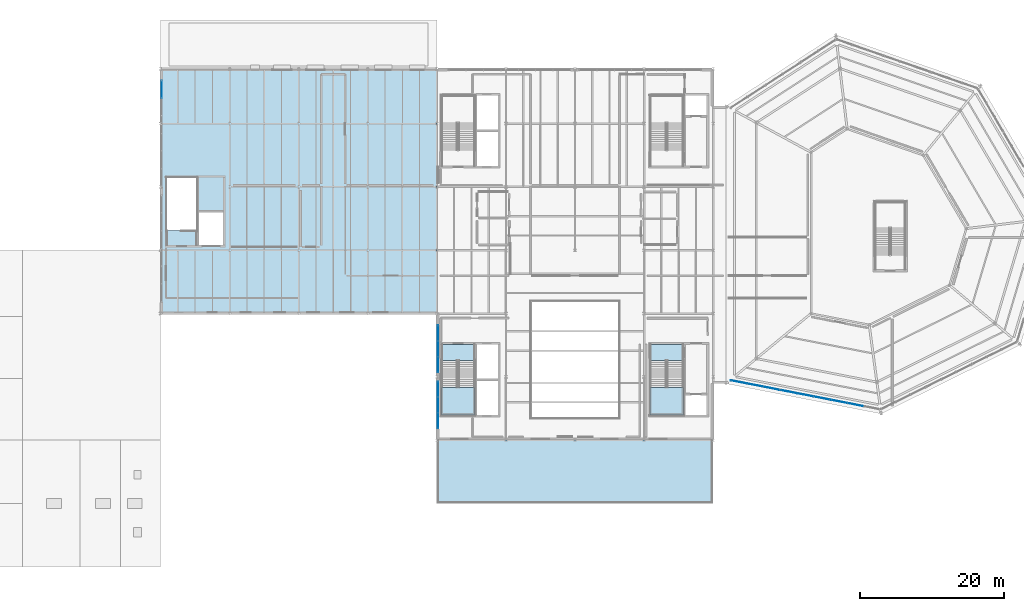
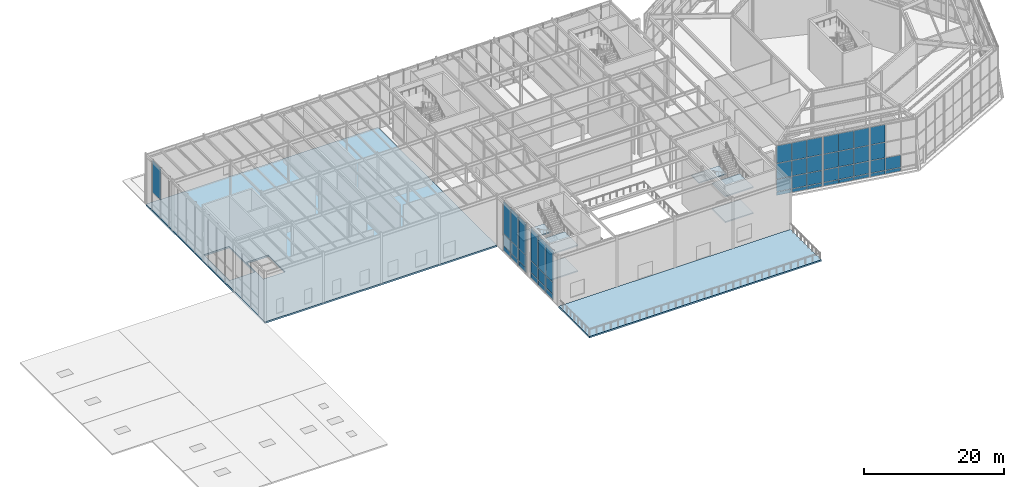
# One storey, part 26 of 48: 49 plates, 8 slabs, 8 elements without a shape of their own.
"""IFC4 building model written with IfcOpenShell, lengths in metres."""

from ifc_helpers import new_model, si_unit, direction, frame, origin, origin_2d, place, context, subcontext, project, spatial, polyline, rectangle, outline, extrude, material, layer, layer_set, type_object, element, aggregate, save


model = new_model("IFC4")

# Units and contexts
model_context = context("Model", 3, precision=1e-05, world=origin(), true_north=direction((0.0, 1.0)))
body_context = subcontext(model_context, "Body", "Model", "MODEL_VIEW")
ifc_project = project(units=[si_unit("LENGTHUNIT", "METRE"), si_unit("AREAUNIT", "SQUARE_METRE"), si_unit("VOLUMEUNIT", "CUBIC_METRE"), si_unit("PLANEANGLEUNIT", "RADIAN"), si_unit("MASSUNIT", "GRAM", prefix="KILO")], contexts=[model_context])

# Site, building, storey
site_placement = place(None, origin())
site = spatial("IfcSite", under=ifc_project, at=site_placement, CompositionType="ELEMENT")
building_placement = place(site_placement, origin())
building = spatial("IfcBuilding", under=site, at=building_placement, Name="Sarnbrook Museum", CompositionType="ELEMENT")
storey_placement = place(building_placement, frame((0.0, 0.0, 19.10009765625)))
storey = spatial("IfcBuildingStorey", under=building, at=storey_placement, Name="L04", CompositionType="ELEMENT", Elevation=19.10009765625)

# Curtain wall, plates
ifc_material_1 = material(Name="Thermally Broken Anodised Aluminium 6063-T6", Category="aluminium")
curtain_wall_type_1 = type_object("IfcCurtainWallType", Name="CurtainWall_CrystalFacet", PredefinedType="NOTDEFINED", material=ifc_material_1)
curtain_wall_1_placement = place(storey_placement, origin())
curtain_wall_1 = element("IfcCurtainWall", 1, at=curtain_wall_1_placement, inside=storey, type_object=curtain_wall_type_1, Name="Crystal Hall Facet Curtain Wall L04-F1.1", PredefinedType="NOTDEFINED")
ifc_material_2 = material(Name="Double-Glazed Low-Iron Laminated Safety Glass", Category="glass")
ifc_layer_1 = layer(ifc_material_2, 0.031982421875)
ifc_layer_set_1 = layer_set([ifc_layer_1], Name="Double-Glazed Low-Iron Laminated Safety Glass")
plate_type_1 = type_object("IfcPlateType", Name="CW_GlazedPanel_32", PredefinedType="CURTAIN_PANEL", material=ifc_layer_set_1)
plate_1_placement = place(storey_placement, frame((122.7685546875, 64.909423828125, 1.75), z_axis=(-0.191312886927, -0.981529102623, 0.0), x_axis=(0.981529102623, -0.191312886927, 0.0)))
plate_1 = element("IfcPlate", 2, at=plate_1_placement, type_object=plate_type_1, Name="Crystal Hall Facet Curtain Wall L04-F1.1 Glazed Panel 1-2", PredefinedType="CURTAIN_PANEL", context=body_context, shape_type="SweptSolid", body=[
    extrude(rectangle(XDim=2.239501953125, YDim=2.1298828125, at=origin_2d()), origin(), (0.0, 0.0, 1.0), 0.031982421875),
])
plate_2_placement = place(storey_placement, frame((122.7685546875, 64.909423828125, 4.224853515625), z_axis=(-0.191312886927, -0.981529102623, 0.0), x_axis=(0.981529102623, -0.191312886927, 0.0)))
plate_2 = element("IfcPlate", 3, at=plate_2_placement, type_object=plate_type_1, Name="Crystal Hall Facet Curtain Wall L04-F1.1 Glazed Panel 1-3", PredefinedType="CURTAIN_PANEL", context=body_context, shape_type="SweptSolid", body=[
    extrude(rectangle(XDim=2.239501953125, YDim=2.679931640625, at=origin_2d()), origin(), (0.0, 0.0, 1.0), 0.031982421875),
])
plate_3_placement = place(storey_placement, frame((122.7685546875, 64.909423828125, 7.169921875), z_axis=(-0.191312886927, -0.981529102623, 0.0), x_axis=(0.981529102623, -0.191312886927, 0.0)))
plate_3 = element("IfcPlate", 4, at=plate_3_placement, type_object=plate_type_1, Name="Crystal Hall Facet Curtain Wall L04-F1.1 Glazed Panel 1-4", PredefinedType="CURTAIN_PANEL", context=body_context, shape_type="SweptSolid", body=[
    extrude(rectangle(XDim=2.239501953125, YDim=3.070068359375, at=origin_2d()), origin(), (0.0, 0.0, 1.0), 0.031982421875),
])
plate_4_placement = place(storey_placement, frame((125.040283203125, 64.466552734375, 1.75), z_axis=(-0.191312886927, -0.981529102623, 0.0), x_axis=(0.981529102623, -0.191312886927, 0.0)))
plate_4 = element("IfcPlate", 5, at=plate_4_placement, type_object=plate_type_1, Name="Crystal Hall Facet Curtain Wall L04-F1.1 Glazed Panel 2-2", PredefinedType="CURTAIN_PANEL", context=body_context, shape_type="SweptSolid", body=[
    extrude(rectangle(XDim=2.239501953125, YDim=2.1298828125, at=origin_2d()), origin(), (0.0, 0.0, 1.0), 0.031982421875),
])
plate_5_placement = place(storey_placement, frame((125.040283203125, 64.466552734375, 4.224853515625), z_axis=(-0.191312886927, -0.981529102623, 0.0), x_axis=(0.981529102623, -0.191312886927, 0.0)))
plate_5 = element("IfcPlate", 6, at=plate_5_placement, type_object=plate_type_1, Name="Crystal Hall Facet Curtain Wall L04-F1.1 Glazed Panel 2-3", PredefinedType="CURTAIN_PANEL", context=body_context, shape_type="SweptSolid", body=[
    extrude(rectangle(XDim=2.239501953125, YDim=2.679931640625, at=origin_2d()), origin(), (0.0, 0.0, 1.0), 0.031982421875),
])
plate_6_placement = place(storey_placement, frame((125.040283203125, 64.466552734375, 7.169921875), z_axis=(-0.191312886927, -0.981529102623, 0.0), x_axis=(0.981529102623, -0.191312886927, 0.0)))
plate_6 = element("IfcPlate", 7, at=plate_6_placement, type_object=plate_type_1, Name="Crystal Hall Facet Curtain Wall L04-F1.1 Glazed Panel 2-4", PredefinedType="CURTAIN_PANEL", context=body_context, shape_type="SweptSolid", body=[
    extrude(rectangle(XDim=2.239501953125, YDim=3.070068359375, at=origin_2d()), origin(), (0.0, 0.0, 1.0), 0.031982421875),
])
plate_7_placement = place(storey_placement, frame((127.31201171875, 64.02392578125, 1.75), z_axis=(-0.191312886927, -0.981529102623, 0.0), x_axis=(0.981529102623, -0.191312886927, 0.0)))
plate_7 = element("IfcPlate", 8, at=plate_7_placement, type_object=plate_type_1, Name="Crystal Hall Facet Curtain Wall L04-F1.1 Glazed Panel 3-2", PredefinedType="CURTAIN_PANEL", context=body_context, shape_type="SweptSolid", body=[
    extrude(rectangle(XDim=2.239501953125, YDim=2.1298828125, at=origin_2d()), origin(), (0.0, 0.0, 1.0), 0.031982421875),
])
plate_8_placement = place(storey_placement, frame((127.31201171875, 64.02392578125, 4.224853515625), z_axis=(-0.191312886927, -0.981529102623, 0.0), x_axis=(0.981529102623, -0.191312886927, 0.0)))
plate_8 = element("IfcPlate", 9, at=plate_8_placement, type_object=plate_type_1, Name="Crystal Hall Facet Curtain Wall L04-F1.1 Glazed Panel 3-3", PredefinedType="CURTAIN_PANEL", context=body_context, shape_type="SweptSolid", body=[
    extrude(rectangle(XDim=2.239501953125, YDim=2.679931640625, at=origin_2d()), origin(), (0.0, 0.0, 1.0), 0.031982421875),
])
plate_9_placement = place(storey_placement, frame((127.31201171875, 64.02392578125, 7.169921875), z_axis=(-0.191312886927, -0.981529102623, 0.0), x_axis=(0.981529102623, -0.191312886927, 0.0)))
plate_9 = element("IfcPlate", 10, at=plate_9_placement, type_object=plate_type_1, Name="Crystal Hall Facet Curtain Wall L04-F1.1 Glazed Panel 3-4", PredefinedType="CURTAIN_PANEL", context=body_context, shape_type="SweptSolid", body=[
    extrude(rectangle(XDim=2.239501953125, YDim=3.070068359375, at=origin_2d()), origin(), (0.0, 0.0, 1.0), 0.031982421875),
])

curtain_wall_2_placement = place(storey_placement, origin())
curtain_wall_2 = element("IfcCurtainWall", 11, at=curtain_wall_2_placement, inside=storey, type_object=curtain_wall_type_1, Name="Crystal Hall Facet Curtain Wall L04-F1.2", PredefinedType="NOTDEFINED")
plate_10_placement = place(storey_placement, frame((129.74072265625, 63.550537109375, 1.75), z_axis=(-0.191312886927, -0.981529102623, 0.0), x_axis=(0.981529102623, -0.191312886927, 0.0)))
plate_10 = element("IfcPlate", 12, at=plate_10_placement, type_object=plate_type_1, Name="Crystal Hall Facet Curtain Wall L04-F1.2 Glazed Panel 1-2", PredefinedType="CURTAIN_PANEL", context=body_context, shape_type="SweptSolid", body=[
    extrude(rectangle(XDim=2.239501953125, YDim=2.1298828125, at=origin_2d()), origin(), (0.0, 0.0, 1.0), 0.031982421875),
])
plate_11_placement = place(storey_placement, frame((129.74072265625, 63.550537109375, 4.224853515625), z_axis=(-0.191312886927, -0.981529102623, 0.0), x_axis=(0.981529102623, -0.191312886927, 0.0)))
plate_11 = element("IfcPlate", 13, at=plate_11_placement, type_object=plate_type_1, Name="Crystal Hall Facet Curtain Wall L04-F1.2 Glazed Panel 1-3", PredefinedType="CURTAIN_PANEL", context=body_context, shape_type="SweptSolid", body=[
    extrude(rectangle(XDim=2.239501953125, YDim=2.679931640625, at=origin_2d()), origin(), (0.0, 0.0, 1.0), 0.031982421875),
])
plate_12_placement = place(storey_placement, frame((129.74072265625, 63.550537109375, 7.169921875), z_axis=(-0.191312886927, -0.981529102623, 0.0), x_axis=(0.981529102623, -0.191312886927, 0.0)))
plate_12 = element("IfcPlate", 14, at=plate_12_placement, type_object=plate_type_1, Name="Crystal Hall Facet Curtain Wall L04-F1.2 Glazed Panel 1-4", PredefinedType="CURTAIN_PANEL", context=body_context, shape_type="SweptSolid", body=[
    extrude(rectangle(XDim=2.239501953125, YDim=3.070068359375, at=origin_2d()), origin(), (0.0, 0.0, 1.0), 0.031982421875),
])
plate_13_placement = place(storey_placement, frame((132.012451171875, 63.107666015625, 1.75), z_axis=(-0.191312886927, -0.981529102623, 0.0), x_axis=(0.981529102623, -0.191312886927, 0.0)))
plate_13 = element("IfcPlate", 15, at=plate_13_placement, type_object=plate_type_1, Name="Crystal Hall Facet Curtain Wall L04-F1.2 Glazed Panel 2-2", PredefinedType="CURTAIN_PANEL", context=body_context, shape_type="SweptSolid", body=[
    extrude(rectangle(XDim=2.239501953125, YDim=2.1298828125, at=origin_2d()), origin(), (0.0, 0.0, 1.0), 0.031982421875),
])
plate_14_placement = place(storey_placement, frame((132.012451171875, 63.107666015625, 4.224853515625), z_axis=(-0.191312886927, -0.981529102623, 0.0), x_axis=(0.981529102623, -0.191312886927, 0.0)))
plate_14 = element("IfcPlate", 16, at=plate_14_placement, type_object=plate_type_1, Name="Crystal Hall Facet Curtain Wall L04-F1.2 Glazed Panel 2-3", PredefinedType="CURTAIN_PANEL", context=body_context, shape_type="SweptSolid", body=[
    extrude(rectangle(XDim=2.239501953125, YDim=2.679931640625, at=origin_2d()), origin(), (0.0, 0.0, 1.0), 0.031982421875),
])
plate_15_placement = place(storey_placement, frame((132.012451171875, 63.107666015625, 7.169921875), z_axis=(-0.191312886927, -0.981529102623, 0.0), x_axis=(0.981529102623, -0.191312886927, 0.0)))
plate_15 = element("IfcPlate", 17, at=plate_15_placement, type_object=plate_type_1, Name="Crystal Hall Facet Curtain Wall L04-F1.2 Glazed Panel 2-4", PredefinedType="CURTAIN_PANEL", context=body_context, shape_type="SweptSolid", body=[
    extrude(rectangle(XDim=2.239501953125, YDim=3.070068359375, at=origin_2d()), origin(), (0.0, 0.0, 1.0), 0.031982421875),
])
plate_16_placement = place(storey_placement, frame((134.2841796875, 62.664794921875, 1.75), z_axis=(-0.191312886927, -0.981529102623, 0.0), x_axis=(0.981529102623, -0.191312886927, 0.0)))
plate_16 = element("IfcPlate", 18, at=plate_16_placement, type_object=plate_type_1, Name="Crystal Hall Facet Curtain Wall L04-F1.2 Glazed Panel 3-2", PredefinedType="CURTAIN_PANEL", context=body_context, shape_type="SweptSolid", body=[
    extrude(rectangle(XDim=2.239501953125, YDim=2.1298828125, at=origin_2d()), origin(), (0.0, 0.0, 1.0), 0.031982421875),
])
plate_17_placement = place(storey_placement, frame((134.2841796875, 62.664794921875, 4.224853515625), z_axis=(-0.191312886927, -0.981529102623, 0.0), x_axis=(0.981529102623, -0.191312886927, 0.0)))
plate_17 = element("IfcPlate", 19, at=plate_17_placement, type_object=plate_type_1, Name="Crystal Hall Facet Curtain Wall L04-F1.2 Glazed Panel 3-3", PredefinedType="CURTAIN_PANEL", context=body_context, shape_type="SweptSolid", body=[
    extrude(rectangle(XDim=2.239501953125, YDim=2.679931640625, at=origin_2d()), origin(), (0.0, 0.0, 1.0), 0.031982421875),
])
plate_18_placement = place(storey_placement, frame((134.2841796875, 62.664794921875, 7.169921875), z_axis=(-0.191312886927, -0.981529102623, 0.0), x_axis=(0.981529102623, -0.191312886927, 0.0)))
plate_18 = element("IfcPlate", 20, at=plate_18_placement, type_object=plate_type_1, Name="Crystal Hall Facet Curtain Wall L04-F1.2 Glazed Panel 3-4", PredefinedType="CURTAIN_PANEL", context=body_context, shape_type="SweptSolid", body=[
    extrude(rectangle(XDim=2.239501953125, YDim=3.070068359375, at=origin_2d()), origin(), (0.0, 0.0, 1.0), 0.031982421875),
])

curtain_wall_3_placement = place(storey_placement, origin())
curtain_wall_3 = element("IfcCurtainWall", 21, at=curtain_wall_3_placement, inside=storey, type_object=curtain_wall_type_1, Name="Crystal Hall Facet Curtain Wall L04-F1.3", PredefinedType="NOTDEFINED")
plate_19_placement = place(storey_placement, frame((136.712890625, 62.19140625, 1.75), z_axis=(-0.191312886927, -0.981529102623, 0.0), x_axis=(0.981529102623, -0.191312886927, 0.0)))
plate_19 = element("IfcPlate", 22, at=plate_19_placement, type_object=plate_type_1, Name="Crystal Hall Facet Curtain Wall L04-F1.3 Glazed Panel 1-2", PredefinedType="CURTAIN_PANEL", context=body_context, shape_type="SweptSolid", body=[
    extrude(rectangle(XDim=2.239501953125, YDim=2.1298828125, at=origin_2d()), origin(), (0.0, 0.0, 1.0), 0.031982421875),
])
plate_20_placement = place(storey_placement, frame((136.712890625, 62.19140625, 4.224853515625), z_axis=(-0.191312886927, -0.981529102623, 0.0), x_axis=(0.981529102623, -0.191312886927, 0.0)))
plate_20 = element("IfcPlate", 23, at=plate_20_placement, type_object=plate_type_1, Name="Crystal Hall Facet Curtain Wall L04-F1.3 Glazed Panel 1-3", PredefinedType="CURTAIN_PANEL", context=body_context, shape_type="SweptSolid", body=[
    extrude(rectangle(XDim=2.239501953125, YDim=2.679931640625, at=origin_2d()), origin(), (0.0, 0.0, 1.0), 0.031982421875),
])
plate_21_placement = place(storey_placement, frame((136.712890625, 62.19140625, 7.169921875), z_axis=(-0.191312886927, -0.981529102623, 0.0), x_axis=(0.981529102623, -0.191312886927, 0.0)))
plate_21 = element("IfcPlate", 24, at=plate_21_placement, type_object=plate_type_1, Name="Crystal Hall Facet Curtain Wall L04-F1.3 Glazed Panel 1-4", PredefinedType="CURTAIN_PANEL", context=body_context, shape_type="SweptSolid", body=[
    extrude(rectangle(XDim=2.239501953125, YDim=3.070068359375, at=origin_2d()), origin(), (0.0, 0.0, 1.0), 0.031982421875),
])
plate_22_placement = place(storey_placement, frame((138.984619140625, 61.74853515625, 1.75), z_axis=(-0.191312886927, -0.981529102623, 0.0), x_axis=(0.981529102623, -0.191312886927, 0.0)))
plate_22 = element("IfcPlate", 25, at=plate_22_placement, type_object=plate_type_1, Name="Crystal Hall Facet Curtain Wall L04-F1.3 Glazed Panel 2-2", PredefinedType="CURTAIN_PANEL", context=body_context, shape_type="SweptSolid", body=[
    extrude(rectangle(XDim=2.239501953125, YDim=2.1298828125, at=origin_2d()), origin(), (0.0, 0.0, 1.0), 0.031982421875),
])

# Curtain wall, plate
curtain_wall_type_2 = type_object("IfcCurtainWallType", Name="CurtainWall_GalleryRibbon", PredefinedType="NOTDEFINED", material=ifc_material_1)
curtain_wall_4_placement = place(storey_placement, origin())
curtain_wall_4 = element("IfcCurtainWall", 26, at=curtain_wall_4_placement, inside=storey, type_object=curtain_wall_type_2, Name="Gallery Ribbon Curtain Wall L04-2.1", PredefinedType="NOTDEFINED")
plate_23_placement = place(storey_placement, frame((42.56787109375, 105.550048828125, 5.829833984375), z_axis=(-1.0, 0.0, 0.0), x_axis=(0.0, -1.0, 0.0)))
plate_23 = element("IfcPlate", 27, at=plate_23_placement, type_object=plate_type_1, Name="Gallery Ribbon Curtain Wall L04-2.1 Glazed Panel 1-3", PredefinedType="CURTAIN_PANEL", context=body_context, shape_type="SweptSolid", body=[
    extrude(rectangle(XDim=2.385009765625, YDim=5.590087890625, at=origin_2d()), origin(), (0.0, 0.0, 1.0), 0.031982421875),
])
aggregate(curtain_wall_4, [plate_23])

# Curtain wall, plates
curtain_wall_5_placement = place(storey_placement, origin())
curtain_wall_5 = element("IfcCurtainWall", 28, at=curtain_wall_5_placement, inside=storey, type_object=curtain_wall_type_2, Name="Gallery Ribbon Curtain Wall L04-4.1", PredefinedType="NOTDEFINED")
plate_24_placement = place(storey_placement, frame((80.9677734375, 71.686767578125, 1.949951171875), z_axis=(-1.0, 0.0, 0.0), x_axis=(0.0, -1.0, 0.0)))
plate_24 = element("IfcPlate", 29, at=plate_24_placement, type_object=plate_type_1, Name="Gallery Ribbon Curtain Wall L04-4.1 Glazed Panel 1-2", PredefinedType="CURTAIN_PANEL", context=body_context, shape_type="SweptSolid", body=[
    extrude(rectangle(XDim=2.11181640625, YDim=2.030029296875, at=origin_2d()), origin(), (0.0, 0.0, 1.0), 0.031982421875),
])
plate_25_placement = place(storey_placement, frame((80.9677734375, 71.686767578125, 5.829833984375), z_axis=(-1.0, 0.0, 0.0), x_axis=(0.0, -1.0, 0.0)))
plate_25 = element("IfcPlate", 30, at=plate_25_placement, type_object=plate_type_1, Name="Gallery Ribbon Curtain Wall L04-4.1 Glazed Panel 1-3", PredefinedType="CURTAIN_PANEL", context=body_context, shape_type="SweptSolid", body=[
    extrude(rectangle(XDim=2.11181640625, YDim=5.590087890625, at=origin_2d()), origin(), (0.0, 0.0, 1.0), 0.031982421875),
])
plate_26_placement = place(storey_placement, frame((80.9677734375, 69.5, 1.949951171875), z_axis=(-1.0, 0.0, 0.0), x_axis=(0.0, -1.0, 0.0)))
plate_26 = element("IfcPlate", 31, at=plate_26_placement, type_object=plate_type_1, Name="Gallery Ribbon Curtain Wall L04-4.1 Glazed Panel 2-2", PredefinedType="CURTAIN_PANEL", context=body_context, shape_type="SweptSolid", body=[
    extrude(rectangle(XDim=2.11181640625, YDim=2.030029296875, at=origin_2d()), origin(), (0.0, 0.0, 1.0), 0.031982421875),
])
plate_27_placement = place(storey_placement, frame((80.9677734375, 69.5, 5.829833984375), z_axis=(-1.0, 0.0, 0.0), x_axis=(0.0, -1.0, 0.0)))
plate_27 = element("IfcPlate", 32, at=plate_27_placement, type_object=plate_type_1, Name="Gallery Ribbon Curtain Wall L04-4.1 Glazed Panel 2-3", PredefinedType="CURTAIN_PANEL", context=body_context, shape_type="SweptSolid", body=[
    extrude(rectangle(XDim=2.11181640625, YDim=5.590087890625, at=origin_2d()), origin(), (0.0, 0.0, 1.0), 0.031982421875),
])
plate_28_placement = place(storey_placement, frame((80.9677734375, 67.313232421875, 1.949951171875), z_axis=(-1.0, 0.0, 0.0), x_axis=(0.0, -1.0, 0.0)))
plate_28 = element("IfcPlate", 33, at=plate_28_placement, type_object=plate_type_1, Name="Gallery Ribbon Curtain Wall L04-4.1 Glazed Panel 3-2", PredefinedType="CURTAIN_PANEL", context=body_context, shape_type="SweptSolid", body=[
    extrude(rectangle(XDim=2.11181640625, YDim=2.030029296875, at=origin_2d()), origin(), (0.0, 0.0, 1.0), 0.031982421875),
])
plate_29_placement = place(storey_placement, frame((80.9677734375, 67.313232421875, 5.829833984375), z_axis=(-1.0, 0.0, 0.0), x_axis=(0.0, -1.0, 0.0)))
plate_29 = element("IfcPlate", 34, at=plate_29_placement, type_object=plate_type_1, Name="Gallery Ribbon Curtain Wall L04-4.1 Glazed Panel 3-3", PredefinedType="CURTAIN_PANEL", context=body_context, shape_type="SweptSolid", body=[
    extrude(rectangle(XDim=2.11181640625, YDim=5.590087890625, at=origin_2d()), origin(), (0.0, 0.0, 1.0), 0.031982421875),
])

curtain_wall_6_placement = place(storey_placement, origin())
curtain_wall_6 = element("IfcCurtainWall", 35, at=curtain_wall_6_placement, inside=storey, type_object=curtain_wall_type_2, Name="Gallery Ribbon Curtain Wall L04-4.2", PredefinedType="NOTDEFINED")
plate_30_placement = place(storey_placement, frame((80.9677734375, 63.88671875, 1.949951171875), z_axis=(-1.0, 0.0, 0.0), x_axis=(0.0, -1.0, 0.0)))
plate_30 = element("IfcPlate", 36, at=plate_30_placement, type_object=plate_type_1, Name="Gallery Ribbon Curtain Wall L04-4.2 Glazed Panel 1-2", PredefinedType="CURTAIN_PANEL", context=body_context, shape_type="SweptSolid", body=[
    extrude(rectangle(XDim=2.11181640625, YDim=2.030029296875, at=origin_2d()), origin(), (0.0, 0.0, 1.0), 0.031982421875),
])
plate_31_placement = place(storey_placement, frame((80.9677734375, 63.88671875, 5.829833984375), z_axis=(-1.0, 0.0, 0.0), x_axis=(0.0, -1.0, 0.0)))
plate_31 = element("IfcPlate", 37, at=plate_31_placement, type_object=plate_type_1, Name="Gallery Ribbon Curtain Wall L04-4.2 Glazed Panel 1-3", PredefinedType="CURTAIN_PANEL", context=body_context, shape_type="SweptSolid", body=[
    extrude(rectangle(XDim=2.11181640625, YDim=5.590087890625, at=origin_2d()), origin(), (0.0, 0.0, 1.0), 0.031982421875),
])
plate_32_placement = place(storey_placement, frame((80.9677734375, 61.699951171875, 1.949951171875), z_axis=(-1.0, 0.0, 0.0), x_axis=(0.0, -1.0, 0.0)))
plate_32 = element("IfcPlate", 38, at=plate_32_placement, type_object=plate_type_1, Name="Gallery Ribbon Curtain Wall L04-4.2 Glazed Panel 2-2", PredefinedType="CURTAIN_PANEL", context=body_context, shape_type="SweptSolid", body=[
    extrude(rectangle(XDim=2.11181640625, YDim=2.030029296875, at=origin_2d()), origin(), (0.0, 0.0, 1.0), 0.031982421875),
])
plate_33_placement = place(storey_placement, frame((80.9677734375, 61.699951171875, 5.829833984375), z_axis=(-1.0, 0.0, 0.0), x_axis=(0.0, -1.0, 0.0)))
plate_33 = element("IfcPlate", 39, at=plate_33_placement, type_object=plate_type_1, Name="Gallery Ribbon Curtain Wall L04-4.2 Glazed Panel 2-3", PredefinedType="CURTAIN_PANEL", context=body_context, shape_type="SweptSolid", body=[
    extrude(rectangle(XDim=2.11181640625, YDim=5.590087890625, at=origin_2d()), origin(), (0.0, 0.0, 1.0), 0.031982421875),
])
plate_34_placement = place(storey_placement, frame((80.9677734375, 59.51318359375, 1.949951171875), z_axis=(-1.0, 0.0, 0.0), x_axis=(0.0, -1.0, 0.0)))
plate_34 = element("IfcPlate", 40, at=plate_34_placement, type_object=plate_type_1, Name="Gallery Ribbon Curtain Wall L04-4.2 Glazed Panel 3-2", PredefinedType="CURTAIN_PANEL", context=body_context, shape_type="SweptSolid", body=[
    extrude(rectangle(XDim=2.11181640625, YDim=2.030029296875, at=origin_2d()), origin(), (0.0, 0.0, 1.0), 0.031982421875),
])
plate_35_placement = place(storey_placement, frame((80.9677734375, 59.51318359375, 5.829833984375), z_axis=(-1.0, 0.0, 0.0), x_axis=(0.0, -1.0, 0.0)))
plate_35 = element("IfcPlate", 41, at=plate_35_placement, type_object=plate_type_1, Name="Gallery Ribbon Curtain Wall L04-4.2 Glazed Panel 3-3", PredefinedType="CURTAIN_PANEL", context=body_context, shape_type="SweptSolid", body=[
    extrude(rectangle(XDim=2.11181640625, YDim=5.590087890625, at=origin_2d()), origin(), (0.0, 0.0, 1.0), 0.031982421875),
])

# Plate
ifc_material_3 = material(Name="Patinated Architectural Bronze")
ifc_layer_2 = layer(ifc_material_3, 0.044921875)
ifc_layer_set_2 = layer_set([ifc_layer_2], Name="Patinated Architectural Bronze")
plate_type_2 = type_object("IfcPlateType", Name="CW_SpandrelPanel_45", PredefinedType="CURTAIN_PANEL", material=ifc_layer_set_2)
plate_36_placement = place(storey_placement, frame((122.769775390625, 64.915771484375, 0.324951171875), z_axis=(-0.191312886927, -0.981529102623, 0.0), x_axis=(0.981529102623, -0.191312886927, 0.0)))
plate_36 = element("IfcPlate", 42, at=plate_36_placement, type_object=plate_type_2, Name="Crystal Hall Facet Curtain Wall L04-F1.1 Spandrel Panel 1-1", PredefinedType="CURTAIN_PANEL", context=body_context, shape_type="SweptSolid", body=[
    extrude(rectangle(XDim=2.239501953125, YDim=0.580078125, at=origin_2d()), origin(), (0.0, 0.0, 1.0), 0.044921875),
])

plate_37_placement = place(storey_placement, frame((125.04150390625, 64.472900390625, 0.324951171875), z_axis=(-0.191312886927, -0.981529102623, 0.0), x_axis=(0.981529102623, -0.191312886927, 0.0)))
plate_37 = element("IfcPlate", 43, at=plate_37_placement, type_object=plate_type_2, Name="Crystal Hall Facet Curtain Wall L04-F1.1 Spandrel Panel 2-1", PredefinedType="CURTAIN_PANEL", context=body_context, shape_type="SweptSolid", body=[
    extrude(rectangle(XDim=2.239501953125, YDim=0.580078125, at=origin_2d()), origin(), (0.0, 0.0, 1.0), 0.044921875),
])

plate_38_placement = place(storey_placement, frame((127.313232421875, 64.0302734375, 0.324951171875), z_axis=(-0.191312886927, -0.981529102623, 0.0), x_axis=(0.981529102623, -0.191312886927, 0.0)))
plate_38 = element("IfcPlate", 44, at=plate_38_placement, type_object=plate_type_2, Name="Crystal Hall Facet Curtain Wall L04-F1.1 Spandrel Panel 3-1", PredefinedType="CURTAIN_PANEL", context=body_context, shape_type="SweptSolid", body=[
    extrude(rectangle(XDim=2.239501953125, YDim=0.580078125, at=origin_2d()), origin(), (0.0, 0.0, 1.0), 0.044921875),
])

aggregate(curtain_wall_1, [plate_36, plate_1, plate_2, plate_3, plate_37, plate_4, plate_5, plate_6, plate_38, plate_7, plate_8, plate_9])

plate_39_placement = place(storey_placement, frame((129.741943359375, 63.556884765625, 0.324951171875), z_axis=(-0.191312886927, -0.981529102623, 0.0), x_axis=(0.981529102623, -0.191312886927, 0.0)))
plate_39 = element("IfcPlate", 45, at=plate_39_placement, type_object=plate_type_2, Name="Crystal Hall Facet Curtain Wall L04-F1.2 Spandrel Panel 1-1", PredefinedType="CURTAIN_PANEL", context=body_context, shape_type="SweptSolid", body=[
    extrude(rectangle(XDim=2.239501953125, YDim=0.580078125, at=origin_2d()), origin(), (0.0, 0.0, 1.0), 0.044921875),
])

plate_40_placement = place(storey_placement, frame((132.013671875, 63.114013671875, 0.324951171875), z_axis=(-0.191312886927, -0.981529102623, 0.0), x_axis=(0.981529102623, -0.191312886927, 0.0)))
plate_40 = element("IfcPlate", 46, at=plate_40_placement, type_object=plate_type_2, Name="Crystal Hall Facet Curtain Wall L04-F1.2 Spandrel Panel 2-1", PredefinedType="CURTAIN_PANEL", context=body_context, shape_type="SweptSolid", body=[
    extrude(rectangle(XDim=2.239501953125, YDim=0.580078125, at=origin_2d()), origin(), (0.0, 0.0, 1.0), 0.044921875),
])

plate_41_placement = place(storey_placement, frame((134.285400390625, 62.671142578125, 0.324951171875), z_axis=(-0.191312886927, -0.981529102623, 0.0), x_axis=(0.981529102623, -0.191312886927, 0.0)))
plate_41 = element("IfcPlate", 47, at=plate_41_placement, type_object=plate_type_2, Name="Crystal Hall Facet Curtain Wall L04-F1.2 Spandrel Panel 3-1", PredefinedType="CURTAIN_PANEL", context=body_context, shape_type="SweptSolid", body=[
    extrude(rectangle(XDim=2.239501953125, YDim=0.580078125, at=origin_2d()), origin(), (0.0, 0.0, 1.0), 0.044921875),
])

aggregate(curtain_wall_2, [plate_39, plate_10, plate_11, plate_12, plate_40, plate_13, plate_14, plate_15, plate_41, plate_16, plate_17, plate_18])

plate_42_placement = place(storey_placement, frame((136.714111328125, 62.19775390625, 0.324951171875), z_axis=(-0.191312886927, -0.981529102623, 0.0), x_axis=(0.981529102623, -0.191312886927, 0.0)))
plate_42 = element("IfcPlate", 48, at=plate_42_placement, type_object=plate_type_2, Name="Crystal Hall Facet Curtain Wall L04-F1.3 Spandrel Panel 1-1", PredefinedType="CURTAIN_PANEL", context=body_context, shape_type="SweptSolid", body=[
    extrude(rectangle(XDim=2.239501953125, YDim=0.580078125, at=origin_2d()), origin(), (0.0, 0.0, 1.0), 0.044921875),
])

plate_43_placement = place(storey_placement, frame((138.98583984375, 61.7548828125, 0.324951171875), z_axis=(-0.191312886927, -0.981529102623, 0.0), x_axis=(0.981529102623, -0.191312886927, 0.0)))
plate_43 = element("IfcPlate", 49, at=plate_43_placement, type_object=plate_type_2, Name="Crystal Hall Facet Curtain Wall L04-F1.3 Spandrel Panel 2-1", PredefinedType="CURTAIN_PANEL", context=body_context, shape_type="SweptSolid", body=[
    extrude(rectangle(XDim=2.239501953125, YDim=0.580078125, at=origin_2d()), origin(), (0.0, 0.0, 1.0), 0.044921875),
])

aggregate(curtain_wall_3, [plate_42, plate_19, plate_20, plate_21, plate_43, plate_22])

plate_44_placement = place(storey_placement, frame((80.974365234375, 71.686767578125, 0.449951171875), z_axis=(-1.0, 0.0, 0.0), x_axis=(0.0, -1.0, 0.0)))
plate_44 = element("IfcPlate", 50, at=plate_44_placement, type_object=plate_type_2, Name="Gallery Ribbon Curtain Wall L04-4.1 Spandrel Panel 1-1", PredefinedType="CURTAIN_PANEL", context=body_context, shape_type="SweptSolid", body=[
    extrude(rectangle(XDim=2.11181640625, YDim=0.830078125, at=origin_2d()), origin(), (0.0, 0.0, 1.0), 0.044921875),
])

plate_45_placement = place(storey_placement, frame((80.974365234375, 69.5, 0.449951171875), z_axis=(-1.0, 0.0, 0.0), x_axis=(0.0, -1.0, 0.0)))
plate_45 = element("IfcPlate", 51, at=plate_45_placement, type_object=plate_type_2, Name="Gallery Ribbon Curtain Wall L04-4.1 Spandrel Panel 2-1", PredefinedType="CURTAIN_PANEL", context=body_context, shape_type="SweptSolid", body=[
    extrude(rectangle(XDim=2.11181640625, YDim=0.830078125, at=origin_2d()), origin(), (0.0, 0.0, 1.0), 0.044921875),
])

plate_46_placement = place(storey_placement, frame((80.974365234375, 67.313232421875, 0.449951171875), z_axis=(-1.0, 0.0, 0.0), x_axis=(0.0, -1.0, 0.0)))
plate_46 = element("IfcPlate", 52, at=plate_46_placement, type_object=plate_type_2, Name="Gallery Ribbon Curtain Wall L04-4.1 Spandrel Panel 3-1", PredefinedType="CURTAIN_PANEL", context=body_context, shape_type="SweptSolid", body=[
    extrude(rectangle(XDim=2.11181640625, YDim=0.830078125, at=origin_2d()), origin(), (0.0, 0.0, 1.0), 0.044921875),
])

aggregate(curtain_wall_5, [plate_44, plate_24, plate_25, plate_45, plate_26, plate_27, plate_46, plate_28, plate_29])

plate_47_placement = place(storey_placement, frame((80.974365234375, 63.88671875, 0.449951171875), z_axis=(-1.0, 0.0, 0.0), x_axis=(0.0, -1.0, 0.0)))
plate_47 = element("IfcPlate", 53, at=plate_47_placement, type_object=plate_type_2, Name="Gallery Ribbon Curtain Wall L04-4.2 Spandrel Panel 1-1", PredefinedType="CURTAIN_PANEL", context=body_context, shape_type="SweptSolid", body=[
    extrude(rectangle(XDim=2.11181640625, YDim=0.830078125, at=origin_2d()), origin(), (0.0, 0.0, 1.0), 0.044921875),
])

plate_48_placement = place(storey_placement, frame((80.974365234375, 61.699951171875, 0.449951171875), z_axis=(-1.0, 0.0, 0.0), x_axis=(0.0, -1.0, 0.0)))
plate_48 = element("IfcPlate", 54, at=plate_48_placement, type_object=plate_type_2, Name="Gallery Ribbon Curtain Wall L04-4.2 Spandrel Panel 2-1", PredefinedType="CURTAIN_PANEL", context=body_context, shape_type="SweptSolid", body=[
    extrude(rectangle(XDim=2.11181640625, YDim=0.830078125, at=origin_2d()), origin(), (0.0, 0.0, 1.0), 0.044921875),
])

plate_49_placement = place(storey_placement, frame((80.974365234375, 59.51318359375, 0.449951171875), z_axis=(-1.0, 0.0, 0.0), x_axis=(0.0, -1.0, 0.0)))
plate_49 = element("IfcPlate", 55, at=plate_49_placement, type_object=plate_type_2, Name="Gallery Ribbon Curtain Wall L04-4.2 Spandrel Panel 3-1", PredefinedType="CURTAIN_PANEL", context=body_context, shape_type="SweptSolid", body=[
    extrude(rectangle(XDim=2.11181640625, YDim=0.830078125, at=origin_2d()), origin(), (0.0, 0.0, 1.0), 0.044921875),
])

aggregate(curtain_wall_6, [plate_47, plate_30, plate_31, plate_48, plate_32, plate_33, plate_49, plate_34, plate_35])

# Slab
ifc_material_4 = material(Name="Concrete N40 (AS 3600, f'c = 40 MPa)", Category="concrete")
ifc_layer_3 = layer(ifc_material_4, 0.2900390625)
ifc_layer_set_3 = layer_set([ifc_layer_3], Name="Concrete N40 (AS 3600, f'c = 40 MPa)")
slab_type_1 = type_object("IfcSlabType", Name="FloorSlab_290", PredefinedType="FLOOR", material=ifc_layer_set_3)
slab_1_placement = place(storey_placement, frame((0.0, 0.0, -0.2900390625)))
element("IfcSlab", 56, at=slab_1_placement, inside=storey, type_object=slab_type_1, Name="V5N Structural Slab L04", PredefinedType="FLOOR", context=body_context, shape_type="SweptSolid", body=[
    extrude(outline(polyline([(80.764892578125, 108.39990234375), (80.764892578125, 74.39990234375), (42.39990234375, 74.39990234375), (42.39990234375, 108.39990234375), (80.764892578125, 108.39990234375)]), holes=[polyline([(51.199951171875, 83.800048828125), (47.580078125, 83.800048828125), (47.580078125, 88.6201171875), (51.199951171875, 88.6201171875), (51.199951171875, 83.800048828125)]), polyline([(47.43994140625, 85.92041015625), (43.239990234375, 85.92041015625), (43.239990234375, 93.300048828125), (47.43994140625, 93.300048828125), (47.43994140625, 85.92041015625)])]), origin(), (0.0, 0.0, 1.0), 0.2900390625),
])

# Stair, slabs
stair_type = type_object("IfcStairType", Name="Stair_ST04", PredefinedType="HALF_TURN_STAIR", material=ifc_material_4)
stair_1_placement = place(storey_placement, origin())
stair_1 = element("IfcStair", 57, at=stair_1_placement, inside=storey, type_object=stair_type, Name="L04 Exit Stair ST1", PredefinedType="HALF_TURN_STAIR")
ifc_layer_4 = layer(ifc_material_4, 0.199951171875)
ifc_layer_set_4 = layer_set([ifc_layer_4], Name="Concrete N40 (AS 3600, f'c = 40 MPa)")
slab_type_2 = type_object("IfcSlabType", Name="Landing_200", PredefinedType="LANDING", material=ifc_layer_set_4)
slab_2_placement = place(storey_placement, frame((0.0, 0.0, 2.0498046875)))
slab_2 = element("IfcSlab", 58, at=slab_2_placement, type_object=slab_type_2, Name="ST1 landing 1", PredefinedType="LANDING", context=body_context, shape_type="SweptSolid", body=[
    extrude(outline(polyline([(110.43994140625, 64.110107421875), (110.43994140625, 60.300048828125), (115.06005859375, 60.300048828125), (115.06005859375, 64.110107421875), (110.43994140625, 64.110107421875)])), origin(), (0.0, 0.0, 1.0), 0.2001953125),
])
slab_3_placement = place(storey_placement, frame((0.0, 0.0, 4.2998046875)))
slab_3 = element("IfcSlab", 59, at=slab_3_placement, type_object=slab_type_2, Name="ST1 landing 2", PredefinedType="LANDING", context=body_context, shape_type="SweptSolid", body=[
    extrude(outline(polyline([(110.43994140625, 70.10009765625), (110.43994140625, 67.8798828125), (115.06005859375, 67.8798828125), (115.06005859375, 70.10009765625), (110.43994140625, 70.10009765625)])), origin(), (0.0, 0.0, 1.0), 0.2001953125),
])
slab_4_placement = place(storey_placement, frame((0.0, 0.0, 6.5498046875)))
slab_4 = element("IfcSlab", 60, at=slab_4_placement, type_object=slab_type_2, Name="ST1 landing 3", PredefinedType="LANDING", context=body_context, shape_type="SweptSolid", body=[
    extrude(outline(polyline([(110.43994140625, 64.110107421875), (110.43994140625, 60.300048828125), (115.06005859375, 60.300048828125), (115.06005859375, 64.110107421875), (110.43994140625, 64.110107421875)])), origin(), (0.0, 0.0, 1.0), 0.2001953125),
])
aggregate(stair_1, [slab_2, slab_3, slab_4])

stair_2_placement = place(storey_placement, origin())
stair_2 = element("IfcStair", 61, at=stair_2_placement, inside=storey, type_object=stair_type, Name="L04 Exit Stair ST3", PredefinedType="HALF_TURN_STAIR")
slab_5_placement = place(storey_placement, frame((0.0, 0.0, 2.0498046875)))
slab_5 = element("IfcSlab", 62, at=slab_5_placement, type_object=slab_type_2, Name="ST3 landing 1", PredefinedType="LANDING", context=body_context, shape_type="SweptSolid", body=[
    extrude(outline(polyline([(81.43994140625, 64.110107421875), (81.43994140625, 60.300048828125), (86.06005859375, 60.300048828125), (86.06005859375, 64.110107421875), (81.43994140625, 64.110107421875)])), origin(), (0.0, 0.0, 1.0), 0.2001953125),
])
slab_6_placement = place(storey_placement, frame((0.0, 0.0, 4.2998046875)))
slab_6 = element("IfcSlab", 63, at=slab_6_placement, type_object=slab_type_2, Name="ST3 landing 2", PredefinedType="LANDING", context=body_context, shape_type="SweptSolid", body=[
    extrude(outline(polyline([(81.43994140625, 70.10009765625), (81.43994140625, 67.8798828125), (86.06005859375, 67.8798828125), (86.06005859375, 70.10009765625), (81.43994140625, 70.10009765625)])), origin(), (0.0, 0.0, 1.0), 0.2001953125),
])
slab_7_placement = place(storey_placement, frame((0.0, 0.0, 6.5498046875)))
slab_7 = element("IfcSlab", 64, at=slab_7_placement, type_object=slab_type_2, Name="ST3 landing 3", PredefinedType="LANDING", context=body_context, shape_type="SweptSolid", body=[
    extrude(outline(polyline([(81.43994140625, 64.110107421875), (81.43994140625, 60.300048828125), (86.06005859375, 60.300048828125), (86.06005859375, 64.110107421875), (81.43994140625, 64.110107421875)])), origin(), (0.0, 0.0, 1.0), 0.2001953125),
])
aggregate(stair_2, [slab_5, slab_6, slab_7])

# Slab
ifc_layer_5 = layer(ifc_material_4, 0.27001953125)
ifc_layer_set_5 = layer_set([ifc_layer_5], Name="Concrete N40 (AS 3600, f'c = 40 MPa)")
slab_type_3 = type_object("IfcSlabType", Name="TerraceSlab_270", PredefinedType="FLOOR", material=ifc_layer_set_5)
slab_8_placement = place(storey_placement, frame((0.0, 0.0, -0.27001953125)))
element("IfcSlab", 65, at=slab_8_placement, inside=storey, type_object=slab_type_3, Name="V4 Planted Roof Garden Terrace Slab L04", PredefinedType="FLOOR", context=body_context, shape_type="SweptSolid", body=[
    extrude(outline(polyline([(119.199951171875, 48.0), (80.8349609375, 48.0), (80.8349609375, 56.7958984375), (119.199951171875, 56.7958984375), (119.199951171875, 48.0)])), origin(), (0.0, 0.0, 1.0), 0.27001953125),
])

save(model, "model.ifc")
